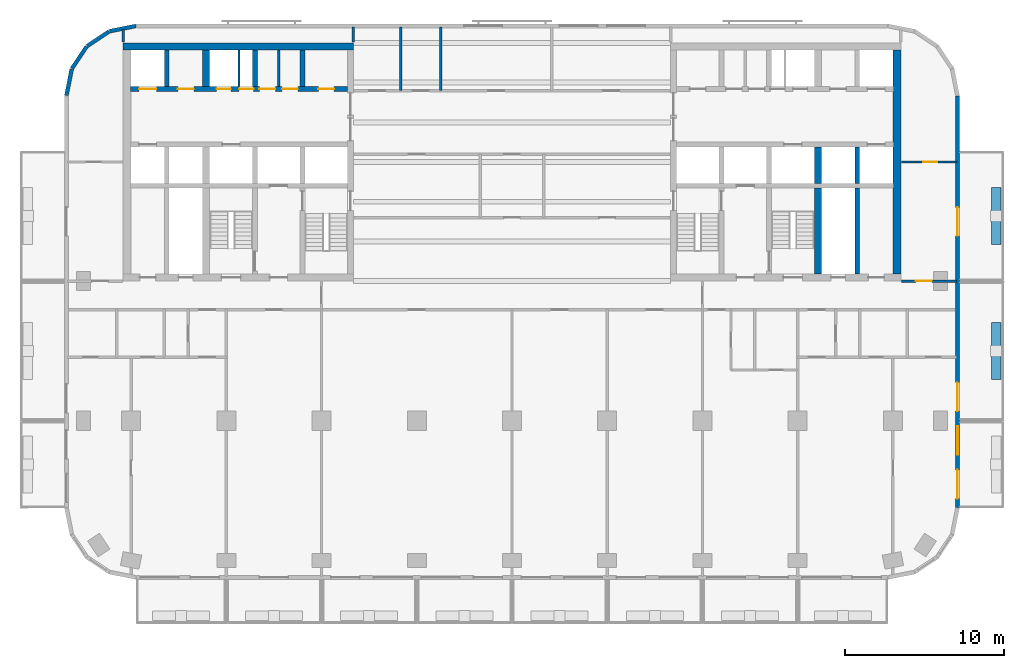
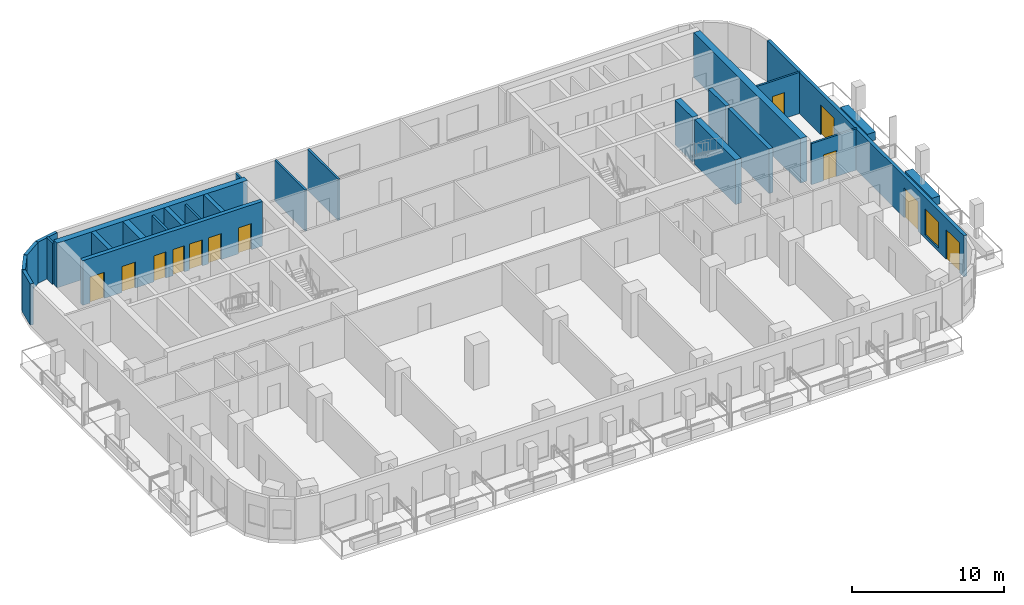
# One storey, part 6 of 11: 26 walls, 12 doors, 1 window, 13 openings.
"""IFC4 building model written with IfcOpenShell, lengths in metres."""

from ifc_helpers import new_model, si_unit, direction, frame, frame_2d, origin, place, context, subcontext, project, spatial, rectangle, extrude, material, layer, layer_set, type_object, element, fill, save


model = new_model("IFC4")

# Units and contexts
model_context = context("Model", 3, precision=1e-05, world=origin(), true_north=direction((0.0, 1.0)))
body_context = subcontext(model_context, "Body", "Model", "MODEL_VIEW")
ifc_project = project(units=[si_unit("LENGTHUNIT", "METRE"), si_unit("AREAUNIT", "SQUARE_METRE"), si_unit("VOLUMEUNIT", "CUBIC_METRE"), si_unit("PLANEANGLEUNIT", "RADIAN"), si_unit("MASSUNIT", "GRAM", prefix="KILO")], contexts=[model_context])

# Site, building, storey
site_placement = place(None, origin())
site = spatial("IfcSite", under=ifc_project, at=site_placement, CompositionType="ELEMENT")
building_placement = place(site_placement, origin())
building = spatial("IfcBuilding", under=site, at=building_placement, Name="Torana Hotel and Residences", CompositionType="ELEMENT")
storey_placement = place(building_placement, frame((0.0, 0.0, 120.0)))
storey = spatial("IfcBuildingStorey", under=building, at=storey_placement, Name="L30", CompositionType="ELEMENT", Elevation=120.0)

# Wall, openings, doors
ifc_material_1 = material(Name="Concrete C70/85", Category="concrete")
ifc_layer_1 = layer(ifc_material_1, 0.300048828125)
ifc_layer_set_1 = layer_set([ifc_layer_1], Name="CORE WALL 300 C70/85")
wall_type_1 = type_object("IfcWallType", Name="CORE WALL 300 C70/85", PredefinedType="SHEAR", material=ifc_layer_set_1)
wall_1_placement = place(storey_placement, frame((-24.050048828125, -2.89990234375, 0.0), z_axis=(0.0, 0.0, 1.0), x_axis=(1.0, 0.0, 0.0)))
wall_1 = element("IfcWall", 1, at=wall_1_placement, inside=storey, type_object=wall_type_1, Name="Core wall W row-N", PredefinedType="SHEAR", context=body_context, shape_type="SweptSolid", body=[
    extrude(rectangle(XDim=13.699951171875, YDim=0.300048828125, at=frame_2d((6.85009765625, 0.0))), origin(), (0.0, 0.0, 1.0), 3.60009765625),
])
opening_1_placement = place(wall_1_placement, frame((0.550048828125, 0.0, 0.0)))
opening_1 = element("IfcOpeningElement", 2, at=opening_1_placement, cuts=wall_1, Name="Opening LD", PredefinedType="OPENING", context=body_context, shape_type="SweptSolid", body=[
    extrude(rectangle(XDim=1.10009765625, YDim=2.10009765625, at=frame_2d((0.550048828125, 1.050048828125))), frame((0.0, 0.159912109375, 0.0), z_axis=(0.0, -1.0, 0.0), x_axis=(1.0, 0.0, 0.0)), (0.0, 0.0, 1.0), 0.320068359375),
])
opening_2_placement = place(wall_1_placement, frame((6.862548828125, 0.0, 0.0)))
opening_2 = element("IfcOpeningElement", 3, at=opening_2_placement, cuts=wall_1, Name="Opening L30-08", PredefinedType="OPENING", context=body_context, shape_type="SweptSolid", body=[
    extrude(rectangle(XDim=0.89990234375, YDim=2.10009765625, at=frame_2d((0.449951171875, 1.050048828125))), frame((0.0, 0.159912109375, 0.0), z_axis=(0.0, -1.0, 0.0), x_axis=(1.0, 0.0, 0.0)), (0.0, 0.0, 1.0), 0.320068359375),
])
opening_3_placement = place(wall_1_placement, frame((5.4375, 0.0, 0.0)))
opening_3 = element("IfcOpeningElement", 4, at=opening_3_placement, cuts=wall_1, Name="Opening L30-09", PredefinedType="OPENING", context=body_context, shape_type="SweptSolid", body=[
    extrude(rectangle(XDim=0.89990234375, YDim=2.10009765625, at=frame_2d((0.449951171875, 1.050048828125))), frame((0.0, 0.159912109375, 0.0), z_axis=(0.0, -1.0, 0.0), x_axis=(1.0, 0.0, 0.0)), (0.0, 0.0, 1.0), 0.320068359375),
])
opening_4_placement = place(wall_1_placement, frame((11.85009765625, 0.0, 0.0)))
opening_4 = element("IfcOpeningElement", 5, at=opening_4_placement, cuts=wall_1, Name="Opening L30-10", PredefinedType="OPENING", context=body_context, shape_type="SweptSolid", body=[
    extrude(rectangle(XDim=1.0, YDim=2.10009765625, at=frame_2d((0.5, 1.050048828125))), frame((0.0, 0.159912109375, 0.0), z_axis=(0.0, -1.0, 0.0), x_axis=(1.0, 0.0, 0.0)), (0.0, 0.0, 1.0), 0.320068359375),
])
opening_5_placement = place(wall_1_placement, frame((9.5625, 0.0, 0.0)))
opening_5 = element("IfcOpeningElement", 6, at=opening_5_placement, cuts=wall_1, Name="Opening L30-11", PredefinedType="OPENING", context=body_context, shape_type="SweptSolid", body=[
    extrude(rectangle(XDim=1.0, YDim=2.10009765625, at=frame_2d((0.5, 1.050048828125))), frame((0.0, 0.159912109375, 0.0), z_axis=(0.0, -1.0, 0.0), x_axis=(1.0, 0.0, 0.0)), (0.0, 0.0, 1.0), 0.320068359375),
])
opening_6_placement = place(wall_1_placement, frame((8.137451171875, 0.0, 0.0)))
opening_6 = element("IfcOpeningElement", 7, at=opening_6_placement, cuts=wall_1, Name="Opening L30-12", PredefinedType="OPENING", context=body_context, shape_type="SweptSolid", body=[
    extrude(rectangle(XDim=1.0, YDim=2.10009765625, at=frame_2d((0.5, 1.050048828125))), frame((0.0, 0.159912109375, 0.0), z_axis=(0.0, -1.0, 0.0), x_axis=(1.0, 0.0, 0.0)), (0.0, 0.0, 1.0), 0.320068359375),
])
opening_7_placement = place(wall_1_placement, frame((3.0, 0.0, 0.0)))
opening_7 = element("IfcOpeningElement", 8, at=opening_7_placement, cuts=wall_1, Name="Opening L30-13", PredefinedType="OPENING", context=body_context, shape_type="SweptSolid", body=[
    extrude(rectangle(XDim=1.0, YDim=2.10009765625, at=frame_2d((0.5, 1.050048828125))), frame((0.0, 0.159912109375, 0.0), z_axis=(0.0, -1.0, 0.0), x_axis=(1.0, 0.0, 0.0)), (0.0, 0.0, 1.0), 0.320068359375),
])
ifc_material_2 = material(Name="Steel S235", Category="steel")
door_type_1 = type_object("IfcDoorType", Name="CORE ROOM FIRE DOOR D14 1000x2100", OperationType="SINGLE_SWING_LEFT", PredefinedType="DOOR", material=ifc_material_2)
door_1_placement = place(opening_4_placement, origin())
door_1 = element("IfcDoor", 9, at=door_1_placement, inside=storey, type_object=door_type_1, Name="N0 door L30", OperationType="SINGLE_SWING_RIGHT", OverallHeight=2.10009765625, OverallWidth=1.0, PredefinedType="DOOR", context=body_context, shape_type="SweptSolid", body=[
    extrude(rectangle(XDim=1.0, YDim=2.10009765625, at=frame_2d((0.5, 1.050048828125))), frame((0.0, 0.02490234375, 0.0), z_axis=(0.0, -1.0, 0.0), x_axis=(1.0, 0.0, 0.0)), (0.0, 0.0, 1.0), 0.050048828125),
])
fill(opening_4, door_1)
door_2_placement = place(opening_5_placement, origin())
door_2 = element("IfcDoor", 10, at=door_2_placement, inside=storey, type_object=door_type_1, Name="N1A door L30", OperationType="SINGLE_SWING_RIGHT", OverallHeight=2.10009765625, OverallWidth=1.0, PredefinedType="DOOR", context=body_context, shape_type="SweptSolid", body=[
    extrude(rectangle(XDim=1.0, YDim=2.10009765625, at=frame_2d((0.5, 1.050048828125))), frame((0.0, 0.02490234375, 0.0), z_axis=(0.0, -1.0, 0.0), x_axis=(1.0, 0.0, 0.0)), (0.0, 0.0, 1.0), 0.050048828125),
])
fill(opening_5, door_2)
door_3_placement = place(opening_6_placement, origin())
door_3 = element("IfcDoor", 11, at=door_3_placement, inside=storey, type_object=door_type_1, Name="N1B door L30", OperationType="SINGLE_SWING_RIGHT", OverallHeight=2.10009765625, OverallWidth=1.0, PredefinedType="DOOR", context=body_context, shape_type="SweptSolid", body=[
    extrude(rectangle(XDim=1.0, YDim=2.10009765625, at=frame_2d((0.5, 1.050048828125))), frame((0.0, 0.02490234375, 0.0), z_axis=(0.0, -1.0, 0.0), x_axis=(1.0, 0.0, 0.0)), (0.0, 0.0, 1.0), 0.050048828125),
])
fill(opening_6, door_3)
door_4_placement = place(opening_7_placement, origin())
door_4 = element("IfcDoor", 12, at=door_4_placement, inside=storey, type_object=door_type_1, Name="Freed-S1 door L30", OperationType="SINGLE_SWING_RIGHT", OverallHeight=2.10009765625, OverallWidth=1.0, PredefinedType="DOOR", context=body_context, shape_type="SweptSolid", body=[
    extrude(rectangle(XDim=1.0, YDim=2.10009765625, at=frame_2d((0.5, 1.050048828125))), frame((0.0, 0.02490234375, 0.0), z_axis=(0.0, -1.0, 0.0), x_axis=(1.0, 0.0, 0.0)), (0.0, 0.0, 1.0), 0.050048828125),
])
fill(opening_7, door_4)
ifc_material_3 = material(Name="Stainless steel 316", Category="steel")
door_type_2 = type_object("IfcDoorType", Name="LIFT LANDING DOOR LD 1100x2100", OperationType="DOUBLE_DOOR_SLIDING", PredefinedType="USERDEFINED", material=ifc_material_3)
door_5_placement = place(opening_1_placement, origin())
door_5 = element("IfcDoor", 13, at=door_5_placement, inside=storey, type_object=door_type_2, Name="Lift landing door M1 L30", ObjectType="LIFT LANDING DOOR", OperationType="DOUBLE_DOOR_SLIDING", OverallHeight=2.10009765625, OverallWidth=1.10009765625, PredefinedType="USERDEFINED", context=body_context, shape_type="SweptSolid", body=[
    extrude(rectangle(XDim=1.10009765625, YDim=2.10009765625, at=frame_2d((0.550048828125, 1.050048828125))), frame((0.0, 0.02490234375, 0.0), z_axis=(0.0, -1.0, 0.0), x_axis=(1.0, 0.0, 0.0)), (0.0, 0.0, 1.0), 0.050048828125),
])
fill(opening_1, door_5)
ifc_material_4 = material(Name="Steel S235", Category="steel")
door_type_3 = type_object("IfcDoorType", Name="RISER ACCESS DOOR D5 900x2100", OperationType="SINGLE_SWING_LEFT", PredefinedType="DOOR", material=ifc_material_4)
door_6_placement = place(opening_2_placement, origin())
door_6 = element("IfcDoor", 14, at=door_6_placement, inside=storey, type_object=door_type_3, Name="N2A door L30", OperationType="SINGLE_SWING_LEFT", OverallHeight=2.10009765625, OverallWidth=0.89990234375, PredefinedType="DOOR", context=body_context, shape_type="SweptSolid", body=[
    extrude(rectangle(XDim=0.89990234375, YDim=2.10009765625, at=frame_2d((0.449951171875, 1.050048828125))), frame((0.0, 0.02490234375, 0.0), z_axis=(0.0, -1.0, 0.0), x_axis=(1.0, 0.0, 0.0)), (0.0, 0.0, 1.0), 0.050048828125),
])
fill(opening_2, door_6)
door_7_placement = place(opening_3_placement, origin())
door_7 = element("IfcDoor", 15, at=door_7_placement, inside=storey, type_object=door_type_3, Name="N2B door L30", OperationType="SINGLE_SWING_RIGHT", OverallHeight=2.10009765625, OverallWidth=0.89990234375, PredefinedType="DOOR", context=body_context, shape_type="SweptSolid", body=[
    extrude(rectangle(XDim=0.89990234375, YDim=2.10009765625, at=frame_2d((0.449951171875, 1.050048828125))), frame((0.0, 0.02490234375, 0.0), z_axis=(0.0, -1.0, 0.0), x_axis=(1.0, 0.0, 0.0)), (0.0, 0.0, 1.0), 0.050048828125),
])
fill(opening_3, door_7)

# Walls
for number, where, z_axis, x_axis, name in (
    (16, (-13.199951171875, -2.75, 0.0), (0.0, 0.0, 1.0), (0.0, 1.0, 0.0), "Core wall W x3.05-N"),
    (17, (-16.199951171875, -2.75, 0.0), (0.0, 0.0, 1.0), (0.0, 1.0, 0.0), "Core wall W x6.05-N"),
    (18, (-21.75, -2.75, 0.0), (0.0, 0.0, 1.0), (0.0, 1.0, 0.0), "Core wall W mm-N"),
    (19, (21.75, -8.85009765625, 0.0), (0.0, 0.0, 1.0), (0.0, 1.0, 0.0), "Core wall E mm-S"),
):
    element("IfcWall", number, at=place(storey_placement, frame(where, z_axis=z_axis, x_axis=x_axis)), inside=storey, type_object=wall_type_1, Name=name, PredefinedType="SHEAR", context=body_context, shape_type="SweptSolid", body=[
        extrude(rectangle(XDim=2.300048828125, YDim=0.300048828125, at=frame_2d((1.14990234375, 0.0))), origin(), (0.0, 0.0, 1.0), 3.60009765625),
    ])
wall_2_placement = place(storey_placement, frame((21.75, -14.550048828125, 0.0), z_axis=(0.0, 0.0, 1.0), x_axis=(0.0, 1.0, 0.0)))
element("IfcWall", 20, at=wall_2_placement, inside=storey, type_object=wall_type_1, Name="Core wall E mm-band", PredefinedType="SHEAR", context=body_context, shape_type="SweptSolid", body=[
    extrude(rectangle(XDim=5.400146484375, YDim=0.300048828125, at=frame_2d((2.7001953125, 0.0))), origin(), (0.0, 0.0, 1.0), 3.60009765625),
])
ifc_material_5 = material(Name="Concrete C70/85", Category="concrete")
ifc_layer_2 = layer(ifc_material_5, 0.449951171875)
ifc_layer_set_2 = layer_set([ifc_layer_2], Name="CORE WALL 450 C70/85")
wall_type_2 = type_object("IfcWallType", Name="CORE WALL 450 C70/85", PredefinedType="SHEAR", material=ifc_layer_set_2)
wall_3_placement = place(storey_placement, frame((-24.5, -0.22509765625, 0.0), z_axis=(0.0, 0.0, 1.0), x_axis=(1.0, 0.0, 0.0)))
element("IfcWall", 21, at=wall_3_placement, inside=storey, type_object=wall_type_2, Name="Core wall W rear", PredefinedType="SHEAR", context=body_context, shape_type="SweptSolid", body=[
    extrude(rectangle(XDim=14.5, YDim=0.449951171875, at=frame_2d((7.25, 0.0))), origin(), (0.0, 0.0, 1.0), 3.60009765625),
])
for number, where, z_axis, x_axis, name in (
    (22, (-19.27490234375, -2.75, 0.0), (0.0, 0.0, 1.0), (0.0, 1.0, 0.0), "Core wall W hm-N"),
    (23, (19.27490234375, -8.85009765625, 0.0), (0.0, 0.0, 1.0), (0.0, 1.0, 0.0), "Core wall E hm-S"),
):
    element("IfcWall", number, at=place(storey_placement, frame(where, z_axis=z_axis, x_axis=x_axis)), inside=storey, type_object=wall_type_2, Name=name, PredefinedType="SHEAR", context=body_context, shape_type="SweptSolid", body=[
        extrude(rectangle(XDim=2.300048828125, YDim=0.449951171875, at=frame_2d((1.14990234375, 0.0))), origin(), (0.0, 0.0, 1.0), 3.60009765625),
    ])
wall_4_placement = place(storey_placement, frame((19.27490234375, -14.550048828125, 0.0), z_axis=(0.0, 0.0, 1.0), x_axis=(0.0, 1.0, 0.0)))
element("IfcWall", 24, at=wall_4_placement, inside=storey, type_object=wall_type_2, Name="Core wall E hm-band", PredefinedType="SHEAR", context=body_context, shape_type="SweptSolid", body=[
    extrude(rectangle(XDim=5.400146484375, YDim=0.449951171875, at=frame_2d((2.7001953125, 0.0))), origin(), (0.0, 0.0, 1.0), 3.60009765625),
])
ifc_material_6 = material(Name="Concrete C70/85", Category="concrete")
ifc_layer_3 = layer(ifc_material_6, 0.5)
ifc_layer_set_3 = layer_set([ifc_layer_3], Name="CORE WALL 500 C70/85")
wall_type_3 = type_object("IfcWallType", Name="CORE WALL 500 C70/85", PredefinedType="SHEAR", material=ifc_layer_set_3)
wall_5_placement = place(storey_placement, frame((24.25, -14.550048828125, 0.0), z_axis=(0.0, 0.0, 1.0), x_axis=(0.0, 1.0, 0.0)))
element("IfcWall", 25, at=wall_5_placement, inside=storey, type_object=wall_type_3, Name="Core wall E outer", PredefinedType="SHEAR", context=body_context, shape_type="SweptSolid", body=[
    extrude(rectangle(XDim=14.10009765625, YDim=0.5, at=frame_2d((7.050048828125, 0.0))), origin(), (0.0, 0.0, 1.0), 3.60009765625),
])
ifc_material_7 = material(Name="Black aluminium composite panel", Category="aluminium")
ifc_layer_4 = layer(ifc_material_7, 0.00390625, Name="Cladding", Category="cladding")
ifc_material_8 = material(Name="Ventilated air cavity")
ifc_layer_5 = layer(ifc_material_8, 0.0400390625, Name="Ventilated cavity", Category="cavity")
ifc_material_9 = material(Name="Mineral wool insulation")
ifc_layer_6 = layer(ifc_material_9, 0.090087890625, Name="Insulation", Category="insulation")
ifc_material_10 = material(Name="Steel S280GD", Category="steel")
ifc_layer_7 = layer(ifc_material_10, 0.092041015625, Name="Steel stud frame", Category="structure")
ifc_material_11 = material(Name="Fire rated plasterboard")
ifc_layer_8 = layer(ifc_material_11, 0.011962890625, Name="Inner board", Category="finish")
ifc_layer_9 = layer(ifc_material_11, 0.011962890625, Name="Second board", Category="finish")
ifc_layer_set_4 = layer_set([ifc_layer_4, ifc_layer_5, ifc_layer_6, ifc_layer_7, ifc_layer_8, ifc_layer_9], Name="EW1 EXTERNAL WALL BLACK METAL CLAD 250")
wall_type_4 = type_object("IfcWallType", Name="EW1 EXTERNAL WALL BLACK METAL CLAD 250", PredefinedType="SOLIDWALL", material=ifc_layer_set_4)
wall_6_placement = place(storey_placement, frame((-23.69970703125, 1.072509765625, 0.0), z_axis=(0.0, 0.0, 1.0), x_axis=(-0.980803419081, -0.194999110559, 0.0)))
element("IfcWall", 26, at=wall_6_placement, inside=storey, type_object=wall_type_4, Name="External wall L30 e0.5", PredefinedType="SOLIDWALL", context=body_context, shape_type="SweptSolid", body=[
    extrude(rectangle(XDim=1.681396484375, YDim=0.25, at=frame_2d((0.8408203125, 0.0))), origin(), (0.0, 0.0, 1.0), 3.320068359375),
])
for number, where, z_axis, x_axis, name in (
    (27, (-25.39404296875, 0.725830078125, 0.0), (0.0, 0.0, 1.0), (-0.831482937015, -0.55555029066, 0.0), "External wall L30 e0.6"),
    (28, (-26.8056640625, -0.228759765625, 0.0), (0.0, 0.0, 1.0), (-0.55555029066, -0.831482937015, 0.0), "External wall L30 e0.7"),
):
    element("IfcWall", number, at=place(storey_placement, frame(where, z_axis=z_axis, x_axis=x_axis)), inside=storey, type_object=wall_type_4, Name=name, PredefinedType="SOLIDWALL", context=body_context, shape_type="SweptSolid", body=[
        extrude(rectangle(XDim=1.65625, YDim=0.25, at=frame_2d((0.828125, 0.0))), origin(), (0.0, 0.0, 1.0), 3.320068359375),
    ])
wall_7_placement = place(storey_placement, frame((-27.74462890625, -1.651123046875, 0.0), z_axis=(0.0, 0.0, 1.0), x_axis=(-0.194999110559, -0.980803419081, 0.0)))
element("IfcWall", 29, at=wall_7_placement, inside=storey, type_object=wall_type_4, Name="External wall L30 e0.8", PredefinedType="SOLIDWALL", context=body_context, shape_type="SweptSolid", body=[
    extrude(rectangle(XDim=1.681396484375, YDim=0.25, at=frame_2d((0.8408203125, 0.0))), origin(), (0.0, 0.0, 1.0), 3.320068359375),
])

# Wall, openings, doors, window
wall_8_placement = place(storey_placement, frame((28.074951171875, -29.275390625, 0.0), z_axis=(0.0, 0.0, 1.0), x_axis=(0.0, 1.0, 0.0)))
wall_8 = element("IfcWall", 30, at=wall_8_placement, inside=storey, type_object=wall_type_4, Name="External wall L30 e0.19", PredefinedType="SOLIDWALL", context=body_context, shape_type="SweptSolid", body=[
    extrude(rectangle(XDim=25.95068359375, YDim=0.25, at=frame_2d((12.975341796875, 0.0))), origin(), (0.0, 0.0, 1.0), 3.320068359375),
])
opening_8_placement = place(wall_8_placement, frame((0.575439453125, 0.0, 0.0)))
opening_8 = element("IfcOpeningElement", 31, at=opening_8_placement, cuts=wall_8, Name="Opening L30-E09", PredefinedType="OPENING", context=body_context, shape_type="SweptSolid", body=[
    extrude(rectangle(XDim=1.800048828125, YDim=2.39990234375, at=frame_2d((0.89990234375, 1.199951171875))), frame((0.0, 0.135009765625, 0.0), z_axis=(0.0, -1.0, 0.0), x_axis=(1.0, 0.0, 0.0)), (0.0, 0.0, 1.0), 0.27001953125),
])
opening_9_placement = place(wall_8_placement, frame((3.325439453125, 0.0, 0.300048828125)))
opening_9 = element("IfcOpeningElement", 32, at=opening_9_placement, cuts=wall_8, Name="Opening W2", PredefinedType="OPENING", context=body_context, shape_type="SweptSolid", body=[
    extrude(rectangle(XDim=1.800048828125, YDim=2.10009765625, at=frame_2d((0.89990234375, 1.050048828125))), frame((0.0, 0.135009765625, 0.0), z_axis=(0.0, -1.0, 0.0), x_axis=(1.0, 0.0, 0.0)), (0.0, 0.0, 1.0), 0.27001953125),
])
opening_10_placement = place(wall_8_placement, frame((6.075439453125, 0.0, 0.0)))
opening_10 = element("IfcOpeningElement", 33, at=opening_10_placement, cuts=wall_8, Name="Opening L30-E10", PredefinedType="OPENING", context=body_context, shape_type="SweptSolid", body=[
    extrude(rectangle(XDim=1.800048828125, YDim=2.39990234375, at=frame_2d((0.89990234375, 1.199951171875))), frame((0.0, 0.135009765625, 0.0), z_axis=(0.0, -1.0, 0.0), x_axis=(1.0, 0.0, 0.0)), (0.0, 0.0, 1.0), 0.27001953125),
])
opening_11_placement = place(wall_8_placement, frame((17.12548828125, 0.0, 0.0)))
opening_11 = element("IfcOpeningElement", 34, at=opening_11_placement, cuts=wall_8, Name="Opening L30-E11", PredefinedType="OPENING", context=body_context, shape_type="SweptSolid", body=[
    extrude(rectangle(XDim=1.800048828125, YDim=2.39990234375, at=frame_2d((0.89990234375, 1.199951171875))), frame((0.0, 0.135009765625, 0.0), z_axis=(0.0, -1.0, 0.0), x_axis=(1.0, 0.0, 0.0)), (0.0, 0.0, 1.0), 0.27001953125),
])
ifc_material_12 = material(Name="Dark glass in black aluminium frame", Category="aluminium")
door_type_4 = type_object("IfcDoorType", Name="DB1 BALCONY DOOR 1800x2400", OperationType="DOUBLE_DOOR_SINGLE_SWING", PredefinedType="DOOR", material=ifc_material_12)
door_8_placement = place(opening_8_placement, origin())
door_8 = element("IfcDoor", 35, at=door_8_placement, inside=storey, type_object=door_type_4, Name="Balcony door L30", OperationType="DOUBLE_DOOR_SINGLE_SWING", OverallHeight=2.39990234375, OverallWidth=1.800048828125, PredefinedType="DOOR", context=body_context, shape_type="SweptSolid", body=[
    extrude(rectangle(XDim=1.800048828125, YDim=2.39990234375, at=frame_2d((0.89990234375, 1.199951171875))), frame((0.0, 0.02490234375, 0.0), z_axis=(0.0, -1.0, 0.0), x_axis=(1.0, 0.0, 0.0)), (0.0, 0.0, 1.0), 0.050048828125),
])
fill(opening_8, door_8)
door_9_placement = place(opening_10_placement, origin())
door_9 = element("IfcDoor", 36, at=door_9_placement, inside=storey, type_object=door_type_4, Name="Balcony door L30", OperationType="DOUBLE_DOOR_SINGLE_SWING", OverallHeight=2.39990234375, OverallWidth=1.800048828125, PredefinedType="DOOR", context=body_context, shape_type="SweptSolid", body=[
    extrude(rectangle(XDim=1.800048828125, YDim=2.39990234375, at=frame_2d((0.89990234375, 1.199951171875))), frame((0.0, 0.02490234375, 0.0), z_axis=(0.0, -1.0, 0.0), x_axis=(1.0, 0.0, 0.0)), (0.0, 0.0, 1.0), 0.050048828125),
])
fill(opening_10, door_9)
door_10_placement = place(opening_11_placement, origin())
door_10 = element("IfcDoor", 37, at=door_10_placement, inside=storey, type_object=door_type_4, Name="Balcony door L30", OperationType="DOUBLE_DOOR_SINGLE_SWING", OverallHeight=2.39990234375, OverallWidth=1.800048828125, PredefinedType="DOOR", context=body_context, shape_type="SweptSolid", body=[
    extrude(rectangle(XDim=1.800048828125, YDim=2.39990234375, at=frame_2d((0.89990234375, 1.199951171875))), frame((0.0, 0.02490234375, 0.0), z_axis=(0.0, -1.0, 0.0), x_axis=(1.0, 0.0, 0.0)), (0.0, 0.0, 1.0), 0.050048828125),
])
fill(opening_11, door_10)
ifc_material_13 = material(Name="Dark glass in black aluminium frame", Category="aluminium")
window_type = type_object("IfcWindowType", Name="W2 HOTEL ROOM WINDOW NARROW 1800x2100", PartitioningType="SINGLE_PANEL", PredefinedType="WINDOW", material=ifc_material_13)
window_placement = place(opening_9_placement, origin())
window = element("IfcWindow", 38, at=window_placement, inside=storey, type_object=window_type, Name="Window L30", OverallHeight=2.10009765625, OverallWidth=1.800048828125, PartitioningType="SINGLE_PANEL", PredefinedType="WINDOW", context=body_context, shape_type="SweptSolid", body=[
    extrude(rectangle(XDim=1.800048828125, YDim=2.10009765625, at=frame_2d((0.89990234375, 1.050048828125))), frame((0.0, 0.030029296875, 0.0), z_axis=(0.0, -1.0, 0.0), x_axis=(1.0, 0.0, 0.0)), (0.0, 0.0, 1.0), 0.06005859375),
])
fill(opening_9, window)

# Walls
ifc_material_14 = material(Name="Gypsum plaster")
ifc_layer_10 = layer(ifc_material_14, 0.014892578125, Name="Plaster", Category="finish")
ifc_material_15 = material(Name="Concrete blockwork", Category="masonry")
ifc_layer_11 = layer(ifc_material_15, 0.1201171875, Name="Blockwork", Category="structure")
ifc_layer_12 = layer(ifc_material_14, 0.014892578125, Name="Plaster", Category="finish")
ifc_layer_set_5 = layer_set([ifc_layer_10, ifc_layer_11, ifc_layer_12], Name="FIRE PARTITION 150 BLOCKWORK")
wall_type_5 = type_object("IfcWallType", Name="FIRE PARTITION 150 BLOCKWORK", PredefinedType="PARTITIONING", material=ifc_layer_set_5)
for number, where, z_axis, x_axis, name in (
    (39, (-17.199951171875, -2.75, 0.0), (0.0, 0.0, 1.0), (0.0, 1.0, 0.0), "Core partition L30"),
    (40, (-14.699951171875, -2.75, 0.0), (0.0, 0.0, 1.0), (0.0, 1.0, 0.0), "Core partition L30"),
):
    element("IfcWall", number, at=place(storey_placement, frame(where, z_axis=z_axis, x_axis=x_axis)), inside=storey, type_object=wall_type_5, Name=name, PredefinedType="PARTITIONING", context=body_context, shape_type="SweptSolid", body=[
        extrude(rectangle(XDim=2.300048828125, YDim=0.14990234375, at=frame_2d((1.14990234375, 0.0))), origin(), (0.0, 0.0, 1.0), 3.300048828125),
    ])

# Wall, opening, door
wall_9_placement = place(storey_placement, frame((24.550048828125, -15.0, 0.0), z_axis=(0.0, 0.0, 1.0), x_axis=(1.0, 0.0, 0.0)))
wall_9 = element("IfcWall", 41, at=wall_9_placement, inside=storey, type_object=wall_type_5, Name="Partition L30", PredefinedType="PARTITIONING", context=body_context, shape_type="SweptSolid", body=[
    extrude(rectangle(XDim=3.469970703125, YDim=0.14990234375, at=frame_2d((1.73486328125, 0.0))), origin(), (0.0, 0.0, 1.0), 3.320068359375),
])
opening_12_placement = place(wall_9_placement, frame((0.89990234375, 0.0, 0.0)))
opening_12 = element("IfcOpeningElement", 42, at=opening_12_placement, cuts=wall_9, Name="Opening L30-38", PredefinedType="OPENING", context=body_context, shape_type="SweptSolid", body=[
    extrude(rectangle(XDim=1.0, YDim=2.10009765625, at=frame_2d((0.5, 1.050048828125))), frame((0.0, 0.0849609375, 0.0), z_axis=(0.0, -1.0, 0.0), x_axis=(1.0, 0.0, 0.0)), (0.0, 0.0, 1.0), 0.169921875),
])
door_11_placement = place(opening_12_placement, origin())
door_11 = element("IfcDoor", 43, at=door_11_placement, inside=storey, type_object=door_type_1, Name="Door L30", OperationType="SINGLE_SWING_LEFT", OverallHeight=2.10009765625, OverallWidth=1.0, PredefinedType="DOOR", context=body_context, shape_type="SweptSolid", body=[
    extrude(rectangle(XDim=1.0, YDim=2.10009765625, at=frame_2d((0.5, 1.050048828125))), frame((0.0, 0.02490234375, 0.0), z_axis=(0.0, -1.0, 0.0), x_axis=(1.0, 0.0, 0.0)), (0.0, 0.0, 1.0), 0.050048828125),
])
fill(opening_12, door_11)

# Walls
ifc_material_16 = material(Name="Gypsum plasterboard")
ifc_layer_13 = layer(ifc_material_16, 0.012451171875, Name="Plasterboard", Category="finish")
ifc_layer_14 = layer(ifc_material_16, 0.012451171875, Name="Plasterboard", Category="finish")
ifc_layer_15 = layer(ifc_material_10, 0.10009765625, Name="Steel studs with mineral wool", Category="insulation")
ifc_layer_16 = layer(ifc_material_16, 0.012451171875, Name="Plasterboard", Category="finish")
ifc_layer_17 = layer(ifc_material_16, 0.012451171875, Name="Plasterboard", Category="finish")
ifc_layer_set_6 = layer_set([ifc_layer_13, ifc_layer_14, ifc_layer_15, ifc_layer_16, ifc_layer_17], Name="PARTITION 150 PLASTERBOARD")
wall_type_6 = type_object("IfcWallType", Name="PARTITION 150 PLASTERBOARD", PredefinedType="PARTITIONING", material=ifc_layer_set_6)
wall_10_placement = place(storey_placement, frame((-24.5, 0.050048828125, 0.0), z_axis=(0.0, 0.0, 1.0), x_axis=(0.0, 1.0, 0.0)))
element("IfcWall", 44, at=wall_10_placement, inside=storey, type_object=wall_type_6, Name="Partition L30", PredefinedType="PARTITIONING", context=body_context, shape_type="SweptSolid", body=[
    extrude(rectangle(XDim=0.807373046875, YDim=0.14990234375, at=frame_2d((0.40380859375, 0.0))), origin(), (0.0, 0.0, 1.0), 3.320068359375),
])
ifc_material_17 = material(Name="Concrete C40/50 precast", Category="concrete")
ifc_layer_18 = layer(ifc_material_17, 0.10009765625, Name="Planter shell", Category="structure")
ifc_material_18 = material(Name="Root resistant membrane")
ifc_layer_19 = layer(ifc_material_18, 0.00390625, Name="Waterproofing membrane", Category="membrane")
ifc_material_19 = material(Name="Drainage board with filter fleece")
ifc_layer_20 = layer(ifc_material_19, 0.02001953125, Name="Drainage board", Category="drainage")
ifc_material_20 = material(Name="Growing medium")
ifc_layer_21 = layer(ifc_material_20, 0.47607421875, Name="Planting substrate", Category="soil")
ifc_layer_set_7 = layer_set([ifc_layer_18, ifc_layer_19, ifc_layer_20, ifc_layer_21], Name="PL1 BALCONY PLANTER 600")
wall_type_7 = type_object("IfcWallType", Name="PL1 BALCONY PLANTER 600", PredefinedType="USERDEFINED", material=ifc_layer_set_7)
for number, where, z_axis, x_axis, name in (
    (45, (30.5, -17.60009765625, 0.0), (0.0, 0.0, 1.0), (0.0, -1.0, 0.0), "Planter 13"),
    (46, (30.5, -9.10009765625, 0.0), (0.0, 0.0, 1.0), (0.0, -1.0, 0.0), "Planter 14"),
):
    element("IfcWall", number, at=place(storey_placement, frame(where, z_axis=z_axis, x_axis=x_axis)), inside=storey, type_object=wall_type_7, Name=name, ObjectType="PLANTER", PredefinedType="USERDEFINED", context=body_context, shape_type="SweptSolid", body=[
        extrude(rectangle(XDim=3.599853515625, YDim=0.60009765625, at=frame_2d((1.7998046875, 0.0))), origin(), (0.0, 0.0, 1.0), 0.64990234375),
    ])
ifc_material_21 = material(Name="Ceramic tile on adhesive")
ifc_layer_22 = layer(ifc_material_21, 0.010009765625, Name="Wall tile", Category="finish")
ifc_material_22 = material(Name="Cement render")
ifc_layer_23 = layer(ifc_material_22, 0.010009765625, Name="Render", Category="finish")
ifc_layer_24 = layer(ifc_material_15, 0.110107421875, Name="Blockwork", Category="structure")
ifc_layer_25 = layer(ifc_material_22, 0.010009765625, Name="Render", Category="finish")
ifc_layer_26 = layer(ifc_material_21, 0.010009765625, Name="Wall tile", Category="finish")
ifc_layer_set_8 = layer_set([ifc_layer_22, ifc_layer_23, ifc_layer_24, ifc_layer_25, ifc_layer_26], Name="WC PARTITION 150")
wall_type_8 = type_object("IfcWallType", Name="WC PARTITION 150", PredefinedType="PLUMBINGWALL", material=ifc_layer_set_8)
for number, where, z_axis, x_axis, name in (
    (47, (-4.5, -3.0, 0.0), (0.0, 0.0, 1.0), (0.0, 1.0, 0.0), "Partition L30"),
    (48, (-7.0, -3.0, 0.0), (0.0, 0.0, 1.0), (0.0, 1.0, 0.0), "Partition L30"),
):
    element("IfcWall", number, at=place(storey_placement, frame(where, z_axis=z_axis, x_axis=x_axis)), inside=storey, type_object=wall_type_8, Name=name, PredefinedType="PLUMBINGWALL", context=body_context, shape_type="SweptSolid", body=[
        extrude(rectangle(XDim=4.02001953125, YDim=0.14990234375, at=frame_2d((2.010009765625, 0.0))), origin(), (0.0, 0.0, 1.0), 3.320068359375),
    ])
wall_11_placement = place(storey_placement, frame((-10.0, 0.050048828125, 0.0), z_axis=(0.0, 0.0, 1.0), x_axis=(0.0, 1.0, 0.0)))
element("IfcWall", 49, at=wall_11_placement, inside=storey, type_object=wall_type_8, Name="Partition L30", PredefinedType="PLUMBINGWALL", context=body_context, shape_type="SweptSolid", body=[
    extrude(rectangle(XDim=0.969970703125, YDim=0.14990234375, at=frame_2d((0.48486328125, 0.0))), origin(), (0.0, 0.0, 1.0), 3.320068359375),
])

# Wall, opening, door
wall_12_placement = place(storey_placement, frame((24.550048828125, -7.5, 0.0), z_axis=(0.0, 0.0, 1.0), x_axis=(1.0, 0.0, 0.0)))
wall_12 = element("IfcWall", 50, at=wall_12_placement, inside=storey, type_object=wall_type_8, Name="Partition L30", PredefinedType="PLUMBINGWALL", context=body_context, shape_type="SweptSolid", body=[
    extrude(rectangle(XDim=3.469970703125, YDim=0.14990234375, at=frame_2d((1.73486328125, 0.0))), origin(), (0.0, 0.0, 1.0), 3.320068359375),
])
opening_13_placement = place(wall_12_placement, frame((1.35009765625, 0.0, 0.0)))
opening_13 = element("IfcOpeningElement", 51, at=opening_13_placement, cuts=wall_12, Name="Opening L30-63", PredefinedType="OPENING", context=body_context, shape_type="SweptSolid", body=[
    extrude(rectangle(XDim=0.89990234375, YDim=2.10009765625, at=frame_2d((0.449951171875, 1.050048828125))), frame((0.0, 0.0849609375, 0.0), z_axis=(0.0, -1.0, 0.0), x_axis=(1.0, 0.0, 0.0)), (0.0, 0.0, 1.0), 0.169921875),
])
ifc_material_23 = material(Name="Timber door, oiled ash", Category="wood")
door_type_5 = type_object("IfcDoorType", Name="ROOM DOOR D7 900x2100", OperationType="SINGLE_SWING_LEFT", PredefinedType="DOOR", material=ifc_material_23)
door_12_placement = place(opening_13_placement, origin())
door_12 = element("IfcDoor", 52, at=door_12_placement, inside=storey, type_object=door_type_5, Name="Door L30", OperationType="SINGLE_SWING_LEFT", OverallHeight=2.10009765625, OverallWidth=0.89990234375, PredefinedType="DOOR", context=body_context, shape_type="SweptSolid", body=[
    extrude(rectangle(XDim=0.89990234375, YDim=2.10009765625, at=frame_2d((0.449951171875, 1.050048828125))), frame((0.0, 0.02490234375, 0.0), z_axis=(0.0, -1.0, 0.0), x_axis=(1.0, 0.0, 0.0)), (0.0, 0.0, 1.0), 0.050048828125),
])
fill(opening_13, door_12)

save(model, "model.ifc")
